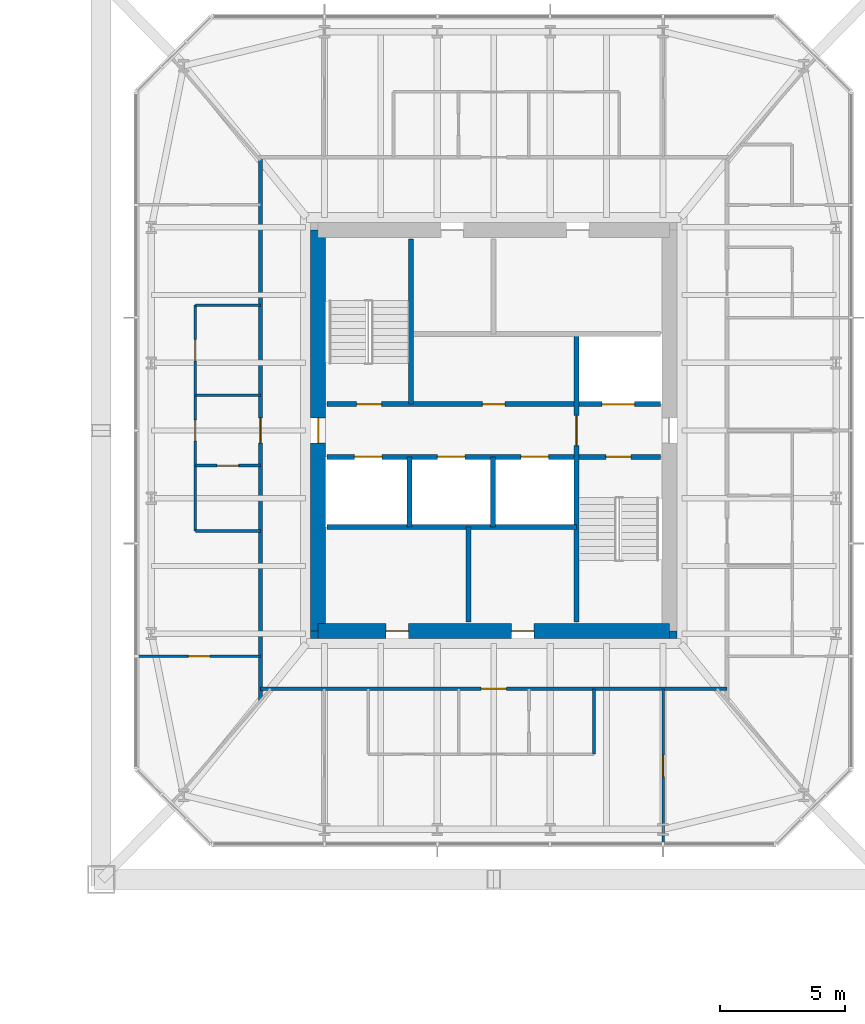
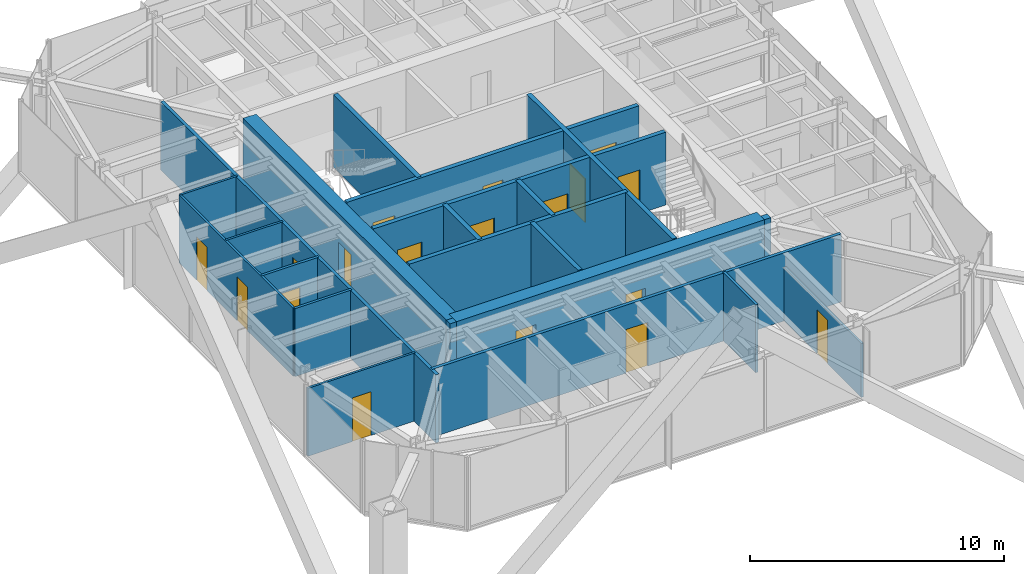
# One storey, part 17 of 25: 22 walls, 18 doors, 18 openings.
"""IFC4 building model written with IfcOpenShell, lengths in metres."""

import ifcopenshell
import ifcopenshell.guid

model = None  # the IFC model being written
_history = None  # IfcOwnerHistory: only IFC2X3 demands one
_inside = {}  # id of a spatial element -> (the spatial element, [elements in it])
_under = {}  # id of a project, library or spatial element -> (it, [spatial elements below it])
_declared = {}  # id of a project -> (the project, [libraries it declares])
_typed = {}  # id of a type object -> (the type object, [elements of that type])
_made_of = {}  # id of a material, layer set ... -> (it, [elements and type objects made of it])


def new_model(schema):
    """Start an empty IFC model of exactly this schema.

    Asked for "IFC4X3", IfcOpenShell would pick the latest addendum, in which some entities
    have other attributes; the version numbers below select the first issue.
    IFC2X3 requires an IfcOwnerHistory on every rooted entity: one is made here for all.
    """
    global model, _history
    if schema == "IFC4X3":
        model = ifcopenshell.file(schema_version=(4, 3, 0, 0))
    else:
        model = ifcopenshell.file(schema=schema)
    _inside.clear()
    _under.clear()
    _declared.clear()
    _typed.clear()
    _made_of.clear()
    _history = None
    if model.schema == "IFC2X3":
        org = make("IfcOrganization", Name="unknown")
        user = make(
            "IfcPersonAndOrganization",
            ThePerson=make("IfcPerson", FamilyName="unknown"),
            TheOrganization=org,
        )
        app = make(
            "IfcApplication",
            ApplicationDeveloper=org,
            Version="unknown",
            ApplicationFullName="unknown",
            ApplicationIdentifier="unknown",
        )
        _history = make(
            "IfcOwnerHistory",
            OwningUser=user,
            OwningApplication=app,
            ChangeAction="ADDED",
            CreationDate=0,
        )
    return model


def make(cls, **values):
    """One entity of the class cls with the attributes given. An attribute that is None is left unset."""
    return model.create_entity(
        cls, **{name: value for name, value in values.items() if value is not None}
    )


def rooted(cls, **values):
    """An entity with a GlobalId (a new one), such as an element, a storey or a relation."""
    return make(cls, GlobalId=ifcopenshell.guid.new(), OwnerHistory=_history, **values)


def si_unit(unit_type, name, prefix=None):
    """IfcSIUnit, for example si_unit("LENGTHUNIT", "METRE", prefix="MILLI")."""
    return make("IfcSIUnit", UnitType=unit_type, Prefix=prefix, Name=name)


def assignment(units):
    """IfcUnitAssignment: the units of a project."""
    return None if units is None else make("IfcUnitAssignment", Units=units)


def point(xyz):
    """IfcCartesianPoint."""
    return None if xyz is None else make("IfcCartesianPoint", Coordinates=xyz)


def direction(xyz):
    """IfcDirection."""
    return None if xyz is None else make("IfcDirection", DirectionRatios=xyz)


def frame(location, z_axis=None, x_axis=None):
    """IfcAxis2Placement3D, a coordinate frame: its origin and axes. An axis left out is left unset."""
    return make(
        "IfcAxis2Placement3D",
        Location=point(location),
        Axis=direction(z_axis),
        RefDirection=direction(x_axis),
    )


def frame_2d(location, x_axis=None):
    """IfcAxis2Placement2D, a coordinate frame in the plane: its origin and x axis."""
    return make(
        "IfcAxis2Placement2D", Location=point(location), RefDirection=direction(x_axis)
    )


def origin():
    """The frame at (0, 0, 0) with its axes left unset."""
    return frame((0.0, 0.0, 0.0))


def place(relative_to, where):
    """IfcLocalPlacement: puts the frame where relative to a parent placement (None: the world)."""
    return make(
        "IfcLocalPlacement", PlacementRelTo=relative_to, RelativePlacement=where
    )


def context(
    kind, dimensions, precision=None, world=None, true_north=None, identifier=None
):
    """IfcGeometricRepresentationContext, for example the 3D "Model" context."""
    return make(
        "IfcGeometricRepresentationContext",
        ContextIdentifier=identifier,
        ContextType=kind,
        CoordinateSpaceDimension=dimensions,
        Precision=precision,
        WorldCoordinateSystem=world,
        TrueNorth=true_north,
    )


def subcontext(parent, identifier, kind, view, scale=None):
    """IfcGeometricRepresentationSubContext, for example "Body" below "Model"."""
    return make(
        "IfcGeometricRepresentationSubContext",
        ContextIdentifier=identifier,
        ContextType=kind,
        ParentContext=parent,
        TargetScale=scale,
        TargetView=view,
    )


def project(units=None, contexts=None):
    """IfcProject with its units and contexts."""
    return rooted(
        "IfcProject",
        Name="project",
        RepresentationContexts=contexts,
        UnitsInContext=assignment(units),
    )


def spatial(cls, under=None, at=None, **own):
    """A site, building, storey or space (cls), placed at a placement, below another one or the project."""
    s = rooted(cls, ObjectPlacement=at, **own)
    if under is not None:
        _under.setdefault(under.id(), (under, []))[1].append(s)
    return s


def profile(cls, at=None, kind="AREA", **sizes):
    """A parametric profile (cls). Its sizes go by their IFC names, for example OverallWidth=200.0."""
    return make(cls, ProfileType=kind, Position=at, **sizes)


def rectangle(**sizes):
    """IfcRectangleProfileDef."""
    return profile("IfcRectangleProfileDef", **sizes)


def extrude(swept, where, along, depth):
    """IfcExtrudedAreaSolid: the profile swept, set in the frame where, extruded along a direction by depth."""
    return make(
        "IfcExtrudedAreaSolid",
        SweptArea=swept,
        Position=where,
        ExtrudedDirection=direction(along),
        Depth=depth,
    )


def shape(context_of_items, identifier, shape_type, items):
    """IfcShapeRepresentation: the items that make up one representation, for example the "Body"."""
    return make(
        "IfcShapeRepresentation",
        ContextOfItems=context_of_items,
        RepresentationIdentifier=identifier,
        RepresentationType=shape_type,
        Items=items,
    )


def material(Name=None, Category=None):
    """IfcMaterial."""
    return make("IfcMaterial", Name=Name, Category=Category)


def layer(
    of_material, thickness, ventilated=None, Name=None, Category=None, Priority=None
):
    """IfcMaterialLayer: one layer of a wall or slab, of a material (None: an air gap)."""
    return make(
        "IfcMaterialLayer",
        Material=of_material,
        LayerThickness=thickness,
        IsVentilated=ventilated,
        Name=Name,
        Category=Category,
        Priority=Priority,
    )


def layer_set(layers, Name=None):
    """IfcMaterialLayerSet."""
    return make("IfcMaterialLayerSet", MaterialLayers=layers, LayerSetName=Name)


def made_of(thing, what):
    """Note that an element or type object is made of a material, layer set ...; save() writes the relation."""
    if what is not None:
        _made_of.setdefault(what.id(), (what, []))[1].append(thing)
    return thing


def type_object(cls, material=None, **own):
    """A type object (cls), such as IfcWallType, which elements share."""
    return made_of(rooted(cls, **own), material)


def element(
    cls,
    number,
    at=None,
    inside=None,
    cuts=None,
    type_object=None,
    material=None,
    context=None,
    identifier="Body",
    shape_type=None,
    held_by="IfcProductDefinitionShape",
    body=None,
    shapes=None,
    **own,
):
    """One element of the class cls, such as IfcWall. Its Tag is "e" and its number.

    at: its placement. inside: the storey or other place that contains it. cuts: it is an
    opening in that element (IfcRelVoidsElement). A single representation is given by context,
    identifier, shape_type and body (its items); several are given by shapes. held_by: the class
    of the entity that holds the representations. save() writes the other relations.
    """
    e = rooted(cls, Tag="e%d" % number, ObjectPlacement=at, **own)
    if body is not None:
        shapes = [shape(context, identifier, shape_type, body)]
    if shapes is not None:
        e.Representation = make(held_by, Representations=shapes)
    if inside is not None:
        _inside.setdefault(inside.id(), (inside, []))[1].append(e)
    if cuts is not None:
        rooted(
            "IfcRelVoidsElement", RelatingBuildingElement=cuts, RelatedOpeningElement=e
        )
    if type_object is not None:
        _typed.setdefault(type_object.id(), (type_object, []))[1].append(e)
    return made_of(e, material)


def fill(opening, filler):
    """IfcRelFillsElement: the door or window that sits in an opening."""
    return rooted(
        "IfcRelFillsElement",
        RelatingOpeningElement=opening,
        RelatedBuildingElement=filler,
    )


def aggregate(whole, parts):
    """IfcRelAggregates: a whole, such as a stair, and the parts it consists of."""
    return rooted("IfcRelAggregates", RelatingObject=whole, RelatedObjects=parts)


def save(model, path):
    """Write the relations noted so far, then the file.

    IfcRelAggregates (storeys below a building ...), IfcRelContainedInSpatialStructure (elements
    in a storey), IfcRelDefinesByType, IfcRelAssociatesMaterial and IfcRelDeclares: one each for
    every whole, place, type object, material and project.
    """
    for whole, parts in _under.values():
        aggregate(whole, parts)
    for where, things in _inside.values():
        rooted(
            "IfcRelContainedInSpatialStructure",
            RelatedElements=things,
            RelatingStructure=where,
        )
    for kind, things in _typed.values():
        rooted("IfcRelDefinesByType", RelatedObjects=things, RelatingType=kind)
    for what, things in _made_of.values():
        rooted("IfcRelAssociatesMaterial", RelatedObjects=things, RelatingMaterial=what)
    for by, libraries in _declared.values():
        rooted("IfcRelDeclares", RelatingContext=by, RelatedDefinitions=libraries)
    model.write(path)


model = new_model("IFC4")

# Units and contexts
model_context = context("Model", 3, precision=1e-05, world=origin(), true_north=direction((0.0, 1.0)))
body_context = subcontext(model_context, "Body", "Model", "MODEL_VIEW")
ifc_project = project(units=[si_unit("LENGTHUNIT", "METRE"), si_unit("AREAUNIT", "SQUARE_METRE"), si_unit("VOLUMEUNIT", "CUBIC_METRE"), si_unit("PLANEANGLEUNIT", "RADIAN"), si_unit("MASSUNIT", "GRAM", prefix="KILO")], contexts=[model_context])

# Site, building, storey
site_placement = place(None, origin())
site = spatial("IfcSite", under=ifc_project, at=site_placement, CompositionType="ELEMENT")
building_placement = place(site_placement, origin())
building = spatial("IfcBuilding", under=site, at=building_placement, Name="Iwan Alto Co-Living Towers", CompositionType="ELEMENT")
storey_placement = place(building_placement, frame((0.0, 0.0, 108.5)))
storey = spatial("IfcBuildingStorey", under=building, at=storey_placement, Name="L29", CompositionType="ELEMENT", Elevation=108.5)

# Wall, opening, door
ifc_material_1 = material(Name="Gypsum board")
ifc_layer_1 = layer(ifc_material_1, 0.02490234375, Name="Board", Category="Finish")
ifc_material_2 = material(Name="Steel ASTM A1003 ST33H cold-formed studs", Category="steel")
ifc_layer_2 = layer(ifc_material_2, 0.10009765625, Name="Studs", Category="Framing")
ifc_layer_3 = layer(ifc_material_1, 0.02490234375, Name="Board", Category="Finish")
ifc_layer_set_1 = layer_set([ifc_layer_1, ifc_layer_2, ifc_layer_3], Name="CORRIDOR WALL 150")
wall_type_1 = type_object("IfcWallType", Name="CORRIDOR WALL 150", PredefinedType="PARTITIONING", material=ifc_layer_set_1)
wall_1_placement = place(storey_placement, frame((53.699951171875, -10.300048828125, 0.0), z_axis=(0.0, 0.0, 1.0), x_axis=(1.0, 0.0, 0.0)))
wall_1 = element("IfcWall", 1, at=wall_1_placement, inside=storey, type_object=wall_type_1, Name="Partition L29", PredefinedType="PARTITIONING", context=body_context, shape_type="SweptSolid", body=[
    extrude(rectangle(XDim=18.60009765625, YDim=0.14990234375, at=frame_2d((9.300048828125, 0.0))), origin(), (0.0, 0.0, 1.0), 3.27001953125),
])
opening_1_placement = place(wall_1_placement, frame((8.800048828125, 0.0, 0.0)))
opening_1 = element("IfcOpeningElement", 2, at=opening_1_placement, cuts=wall_1, Name="Opening D3", PredefinedType="OPENING", context=body_context, shape_type="SweptSolid", body=[
    extrude(rectangle(XDim=1.0, YDim=2.10009765625, at=frame_2d((0.5, 1.050048828125))), frame((0.0, 0.0849609375, 0.0), z_axis=(0.0, -1.0, 0.0), x_axis=(1.0, 0.0, 0.0)), (0.0, 0.0, 1.0), 0.169921875),
])
ifc_material_3 = material(Name="Steel frame with timber leaf", Category="steel")
door_type_1 = type_object("IfcDoorType", Name="FLAT ENTRANCE DOOR FD30S 1000X2100", OperationType="SINGLE_SWING_LEFT", PredefinedType="DOOR", material=ifc_material_3)
door_1_placement = place(opening_1_placement, frame((1.0, 0.0, 0.0), z_axis=(0.0, 0.0, 1.0), x_axis=(-1.0, 0.0, 0.0)))
door_1 = element("IfcDoor", 3, at=door_1_placement, inside=storey, type_object=door_type_1, Name="Apartment foyer door L29", OperationType="SINGLE_SWING_RIGHT", OverallHeight=2.10009765625, OverallWidth=1.0, PredefinedType="DOOR", context=body_context, shape_type="SweptSolid", body=[
    extrude(rectangle(XDim=1.0, YDim=2.10009765625, at=frame_2d((0.5, 1.050048828125))), frame((0.0, 0.02490234375, 0.0), z_axis=(0.0, -1.0, 0.0), x_axis=(1.0, 0.0, 0.0)), (0.0, 0.0, 1.0), 0.050048828125),
])
fill(opening_1, door_1)

wall_2_placement = place(storey_placement, frame((53.699951171875, -10.76806640625, 0.0), z_axis=(0.0, 0.0, 1.0), x_axis=(0.0, 1.0, 0.0)))
wall_2 = element("IfcWall", 4, at=wall_2_placement, inside=storey, type_object=wall_type_1, Name="Partition L29", PredefinedType="PARTITIONING", context=body_context, shape_type="SweptSolid", body=[
    extrude(rectangle(XDim=21.66796875, YDim=0.14990234375, at=frame_2d((10.833984375, 0.0))), origin(), (0.0, 0.0, 1.0), 3.27001953125),
])
opening_2_placement = place(wall_2_placement, frame((10.26806640625, 0.0, 0.0)))
opening_2 = element("IfcOpeningElement", 5, at=opening_2_placement, cuts=wall_2, Name="Opening D3", PredefinedType="OPENING", context=body_context, shape_type="SweptSolid", body=[
    extrude(rectangle(XDim=1.0, YDim=2.10009765625, at=frame_2d((0.5, 1.050048828125))), frame((0.0, 0.0849609375, 0.0), z_axis=(0.0, -1.0, 0.0), x_axis=(1.0, 0.0, 0.0)), (0.0, 0.0, 1.0), 0.169921875),
])
door_2_placement = place(opening_2_placement, origin())
door_2 = element("IfcDoor", 6, at=door_2_placement, inside=storey, type_object=door_type_1, Name="Apartment foyer door L29", OperationType="SINGLE_SWING_LEFT", OverallHeight=2.10009765625, OverallWidth=1.0, PredefinedType="DOOR", context=body_context, shape_type="SweptSolid", body=[
    extrude(rectangle(XDim=1.0, YDim=2.10009765625, at=frame_2d((0.5, 1.050048828125))), frame((0.0, 0.02490234375, 0.0), z_axis=(0.0, -1.0, 0.0), x_axis=(1.0, 0.0, 0.0)), (0.0, 0.0, 1.0), 0.050048828125),
])
fill(opening_2, door_2)

ifc_layer_4 = layer(ifc_material_1, 0.012451171875, Name="Board", Category="Finish")
ifc_layer_5 = layer(ifc_material_2, 0.074951171875, Name="Studs", Category="Framing")
ifc_layer_6 = layer(ifc_material_1, 0.012451171875, Name="Board", Category="Finish")
ifc_layer_set_2 = layer_set([ifc_layer_4, ifc_layer_5, ifc_layer_6], Name="PARTITION 100")
wall_type_2 = type_object("IfcWallType", Name="PARTITION 100", PredefinedType="PARTITIONING", material=ifc_layer_set_2)
wall_3_placement = place(storey_placement, frame((48.81005859375, -9.0, 0.0), z_axis=(0.0, 0.0, 1.0), x_axis=(1.0, 0.0, 0.0)))
wall_3 = element("IfcWall", 7, at=wall_3_placement, inside=storey, type_object=wall_type_2, Name="Partition L29", PredefinedType="PARTITIONING", context=body_context, shape_type="SweptSolid", body=[
    extrude(rectangle(XDim=4.889892578125, YDim=0.10009765625, at=frame_2d((2.44482421875, 0.0))), origin(), (0.0, 0.0, 1.0), 3.27001953125),
])
opening_3_placement = place(wall_3_placement, frame((2.02001953125, 0.0, 0.0)))
opening_3 = element("IfcOpeningElement", 8, at=opening_3_placement, cuts=wall_3, Name="Opening D2", PredefinedType="OPENING", context=body_context, shape_type="SweptSolid", body=[
    extrude(rectangle(XDim=0.85009765625, YDim=2.10009765625, at=frame_2d((0.425048828125, 1.050048828125))), frame((0.0, 0.06005859375, 0.0), z_axis=(0.0, -1.0, 0.0), x_axis=(1.0, 0.0, 0.0)), (0.0, 0.0, 1.0), 0.1201171875),
])
ifc_material_4 = material(Name="Timber leaf in steel frame", Category="steel")
door_type_2 = type_object("IfcDoorType", Name="ROOM DOOR 850X2100", OperationType="SINGLE_SWING_LEFT", PredefinedType="DOOR", material=ifc_material_4)
door_3_placement = place(opening_3_placement, origin())
door_3 = element("IfcDoor", 9, at=door_3_placement, inside=storey, type_object=door_type_2, Name="Bedroom door L29", OperationType="SINGLE_SWING_RIGHT", OverallHeight=2.10009765625, OverallWidth=0.85009765625, PredefinedType="DOOR", context=body_context, shape_type="SweptSolid", body=[
    extrude(rectangle(XDim=0.85009765625, YDim=2.10009765625, at=frame_2d((0.425048828125, 1.050048828125))), frame((0.0, 0.02490234375, 0.0), z_axis=(0.0, -1.0, 0.0), x_axis=(1.0, 0.0, 0.0)), (0.0, 0.0, 1.0), 0.050048828125),
])
fill(opening_3, door_3)

# Walls
for number, where, z_axis, x_axis, name in (
    (10, (51.10009765625, 1.39990234375, 0.0), (0.0, 0.0, 1.0), (1.0, 0.0, 0.0), "Partition L29"),
    (11, (51.10009765625, 5.0, 0.0), (0.0, 0.0, 1.0), (1.0, 0.0, 0.0), "Partition L29"),
):
    element("IfcWall", number, at=place(storey_placement, frame(where, z_axis=z_axis, x_axis=x_axis)), inside=storey, type_object=wall_type_2, Name=name, PredefinedType="PARTITIONING", context=body_context, shape_type="SweptSolid", body=[
        extrude(rectangle(XDim=2.599853515625, YDim=0.10009765625, at=frame_2d((1.2998046875, 0.0))), origin(), (0.0, 0.0, 1.0), 3.27001953125),
    ])

# Wall, opening, door
wall_4_placement = place(storey_placement, frame((69.75, -16.43994140625, 0.0), z_axis=(0.0, 0.0, 1.0), x_axis=(0.0, 1.0, 0.0)))
wall_4 = element("IfcWall", 12, at=wall_4_placement, inside=storey, type_object=wall_type_2, Name="Partition L29", PredefinedType="PARTITIONING", context=body_context, shape_type="SweptSolid", body=[
    extrude(rectangle(XDim=6.139892578125, YDim=0.10009765625, at=frame_2d((3.06982421875, 0.0))), origin(), (0.0, 0.0, 1.0), 2.586669921875),
])
opening_4_placement = place(wall_4_placement, frame((2.64501953125, 0.0, 0.0)))
opening_4 = element("IfcOpeningElement", 13, at=opening_4_placement, cuts=wall_4, Name="Opening D2", PredefinedType="OPENING", context=body_context, shape_type="SweptSolid", body=[
    extrude(rectangle(XDim=0.85009765625, YDim=2.10009765625, at=frame_2d((0.425048828125, 1.050048828125))), frame((0.0, 0.06005859375, 0.0), z_axis=(0.0, -1.0, 0.0), x_axis=(1.0, 0.0, 0.0)), (0.0, 0.0, 1.0), 0.1201171875),
])
door_4_placement = place(opening_4_placement, origin())
door_4 = element("IfcDoor", 14, at=door_4_placement, inside=storey, type_object=door_type_2, Name="Bedroom door L29", OperationType="SINGLE_SWING_RIGHT", OverallHeight=2.10009765625, OverallWidth=0.85009765625, PredefinedType="DOOR", context=body_context, shape_type="SweptSolid", body=[
    extrude(rectangle(XDim=0.85009765625, YDim=2.10009765625, at=frame_2d((0.425048828125, 1.050048828125))), frame((0.0, 0.02490234375, 0.0), z_axis=(0.0, -1.0, 0.0), x_axis=(1.0, 0.0, 0.0)), (0.0, 0.0, 1.0), 0.050048828125),
])
fill(opening_4, door_4)

# Wall, openings, doors
wall_5_placement = place(storey_placement, frame((51.10009765625, -4.0, 0.0), z_axis=(0.0, 0.0, 1.0), x_axis=(0.0, 1.0, 0.0)))
wall_5 = element("IfcWall", 15, at=wall_5_placement, inside=storey, type_object=wall_type_2, Name="Partition L29", PredefinedType="PARTITIONING", context=body_context, shape_type="SweptSolid", body=[
    extrude(rectangle(XDim=9.0, YDim=0.10009765625, at=frame_2d((4.5, 0.0))), origin(), (0.0, 0.0, 1.0), 3.27001953125),
])
opening_5_placement = place(wall_5_placement, frame((6.77490234375, 0.0, 0.0)))
opening_5 = element("IfcOpeningElement", 16, at=opening_5_placement, cuts=wall_5, Name="Opening D2", PredefinedType="OPENING", context=body_context, shape_type="SweptSolid", body=[
    extrude(rectangle(XDim=0.85009765625, YDim=2.10009765625, at=frame_2d((0.425048828125, 1.050048828125))), frame((0.0, 0.06005859375, 0.0), z_axis=(0.0, -1.0, 0.0), x_axis=(1.0, 0.0, 0.0)), (0.0, 0.0, 1.0), 0.1201171875),
])
opening_6_placement = place(wall_5_placement, frame((3.574951171875, 0.0, 0.0)))
opening_6 = element("IfcOpeningElement", 17, at=opening_6_placement, cuts=wall_5, Name="Opening D2", PredefinedType="OPENING", context=body_context, shape_type="SweptSolid", body=[
    extrude(rectangle(XDim=0.85009765625, YDim=2.10009765625, at=frame_2d((0.425048828125, 1.050048828125))), frame((0.0, 0.06005859375, 0.0), z_axis=(0.0, -1.0, 0.0), x_axis=(1.0, 0.0, 0.0)), (0.0, 0.0, 1.0), 0.1201171875),
])
door_5_placement = place(opening_5_placement, origin())
door_5 = element("IfcDoor", 18, at=door_5_placement, inside=storey, type_object=door_type_2, Name="Kitchen door L29", OperationType="SINGLE_SWING_RIGHT", OverallHeight=2.10009765625, OverallWidth=0.85009765625, PredefinedType="DOOR", context=body_context, shape_type="SweptSolid", body=[
    extrude(rectangle(XDim=0.85009765625, YDim=2.10009765625, at=frame_2d((0.425048828125, 1.050048828125))), frame((0.0, 0.02490234375, 0.0), z_axis=(0.0, -1.0, 0.0), x_axis=(1.0, 0.0, 0.0)), (0.0, 0.0, 1.0), 0.050048828125),
])
fill(opening_5, door_5)
door_6_placement = place(opening_6_placement, origin())
door_6 = element("IfcDoor", 19, at=door_6_placement, inside=storey, type_object=door_type_2, Name="Apartment foyer door L29", OperationType="SINGLE_SWING_LEFT", OverallHeight=2.10009765625, OverallWidth=0.85009765625, PredefinedType="DOOR", context=body_context, shape_type="SweptSolid", body=[
    extrude(rectangle(XDim=0.85009765625, YDim=2.10009765625, at=frame_2d((0.425048828125, 1.050048828125))), frame((0.0, 0.02490234375, 0.0), z_axis=(0.0, -1.0, 0.0), x_axis=(1.0, 0.0, 0.0)), (0.0, 0.0, 1.0), 0.050048828125),
])
fill(opening_6, door_6)

# Wall
ifc_material_5 = material(Name="Concrete f'c 70 MPa", Category="concrete")
ifc_layer_7 = layer(ifc_material_5, 0.199951171875)
ifc_layer_set_3 = layer_set([ifc_layer_7], Name="SHAFT WALL 200")
wall_type_3 = type_object("IfcWallType", Name="SHAFT WALL 200", PredefinedType="SOLIDWALL", material=ifc_layer_set_3)
wall_6_placement = place(storey_placement, frame((56.360107421875, -3.85009765625, 0.0), z_axis=(0.0, 0.0, 1.0), x_axis=(1.0, 0.0, 0.0)))
element("IfcWall", 20, at=wall_6_placement, inside=storey, type_object=wall_type_3, Name="Shaft wall L29", PredefinedType="SOLIDWALL", context=body_context, shape_type="SweptSolid", body=[
    extrude(rectangle(XDim=9.93994140625, YDim=0.199951171875, at=frame_2d((4.969970703125, 0.0))), origin(), (0.0, 0.0, 1.0), 3.5),
])

# Wall, openings, doors
wall_7_placement = place(storey_placement, frame((56.360107421875, -1.050048828125, 0.0), z_axis=(0.0, 0.0, 1.0), x_axis=(1.0, 0.0, 0.0)))
wall_7 = element("IfcWall", 21, at=wall_7_placement, inside=storey, type_object=wall_type_3, Name="Shaft wall L29", PredefinedType="SOLIDWALL", context=body_context, shape_type="SweptSolid", body=[
    extrude(rectangle(XDim=13.27978515625, YDim=0.199951171875, at=frame_2d((6.639892578125, 0.0))), origin(), (0.0, 0.0, 1.0), 3.5),
])
opening_7_placement = place(wall_7_placement, frame((11.110107421875, 0.0, 0.0)))
opening_7 = element("IfcOpeningElement", 22, at=opening_7_placement, cuts=wall_7, Name="Opening D5", PredefinedType="OPENING", context=body_context, shape_type="SweptSolid", body=[
    extrude(rectangle(XDim=1.0, YDim=2.10009765625, at=frame_2d((0.5, 1.050048828125))), frame((0.0, 0.10986328125, 0.0), z_axis=(0.0, -1.0, 0.0), x_axis=(1.0, 0.0, 0.0)), (0.0, 0.0, 1.0), 0.219970703125),
])
opening_8_placement = place(wall_7_placement, frame((1.0869140625, 0.0, 0.0)))
opening_8 = element("IfcOpeningElement", 23, at=opening_8_placement, cuts=wall_7, Name="Opening LD", PredefinedType="OPENING", context=body_context, shape_type="SweptSolid", body=[
    extrude(rectangle(XDim=1.10009765625, YDim=2.10009765625, at=frame_2d((0.550048828125, 1.050048828125))), frame((0.0, 0.10986328125, 0.0), z_axis=(0.0, -1.0, 0.0), x_axis=(1.0, 0.0, 0.0)), (0.0, 0.0, 1.0), 0.219970703125),
])
opening_9_placement = place(wall_7_placement, frame((4.389892578125, 0.0, 0.0)))
opening_9 = element("IfcOpeningElement", 24, at=opening_9_placement, cuts=wall_7, Name="Opening LD", PredefinedType="OPENING", context=body_context, shape_type="SweptSolid", body=[
    extrude(rectangle(XDim=1.10009765625, YDim=2.10009765625, at=frame_2d((0.550048828125, 1.050048828125))), frame((0.0, 0.10986328125, 0.0), z_axis=(0.0, -1.0, 0.0), x_axis=(1.0, 0.0, 0.0)), (0.0, 0.0, 1.0), 0.219970703125),
])
opening_10_placement = place(wall_7_placement, frame((7.72412109375, 0.0, 0.0)))
opening_10 = element("IfcOpeningElement", 25, at=opening_10_placement, cuts=wall_7, Name="Opening LD", PredefinedType="OPENING", context=body_context, shape_type="SweptSolid", body=[
    extrude(rectangle(XDim=1.10009765625, YDim=2.10009765625, at=frame_2d((0.550048828125, 1.050048828125))), frame((0.0, 0.10986328125, 0.0), z_axis=(0.0, -1.0, 0.0), x_axis=(1.0, 0.0, 0.0)), (0.0, 0.0, 1.0), 0.219970703125),
])
ifc_material_6 = material(Name="Steel frame with timber leaf", Category="steel")
door_type_3 = type_object("IfcDoorType", Name="LIFT LANDING DOOR 1100X2100", OperationType="DOUBLE_DOOR_SLIDING", PredefinedType="DOOR", material=ifc_material_6)
door_7_placement = place(opening_8_placement, origin())
door_7 = element("IfcDoor", 26, at=door_7_placement, inside=storey, type_object=door_type_3, Name="Lift P5-1 landing door L29", OperationType="DOUBLE_DOOR_SLIDING", OverallHeight=2.10009765625, OverallWidth=1.10009765625, PredefinedType="DOOR", context=body_context, shape_type="SweptSolid", body=[
    extrude(rectangle(XDim=1.10009765625, YDim=2.10009765625, at=frame_2d((0.550048828125, 1.050048828125))), frame((0.0, 0.02490234375, 0.0), z_axis=(0.0, -1.0, 0.0), x_axis=(1.0, 0.0, 0.0)), (0.0, 0.0, 1.0), 0.050048828125),
])
fill(opening_8, door_7)
door_8_placement = place(opening_9_placement, origin())
door_8 = element("IfcDoor", 27, at=door_8_placement, inside=storey, type_object=door_type_3, Name="Lift P5-2 landing door L29", OperationType="DOUBLE_DOOR_SLIDING", OverallHeight=2.10009765625, OverallWidth=1.10009765625, PredefinedType="DOOR", context=body_context, shape_type="SweptSolid", body=[
    extrude(rectangle(XDim=1.10009765625, YDim=2.10009765625, at=frame_2d((0.550048828125, 1.050048828125))), frame((0.0, 0.02490234375, 0.0), z_axis=(0.0, -1.0, 0.0), x_axis=(1.0, 0.0, 0.0)), (0.0, 0.0, 1.0), 0.050048828125),
])
fill(opening_9, door_8)
door_9_placement = place(opening_10_placement, origin())
door_9 = element("IfcDoor", 28, at=door_9_placement, inside=storey, type_object=door_type_3, Name="Lift P6-3 landing door L29", OperationType="DOUBLE_DOOR_SLIDING", OverallHeight=2.10009765625, OverallWidth=1.10009765625, PredefinedType="DOOR", context=body_context, shape_type="SweptSolid", body=[
    extrude(rectangle(XDim=1.10009765625, YDim=2.10009765625, at=frame_2d((0.550048828125, 1.050048828125))), frame((0.0, 0.02490234375, 0.0), z_axis=(0.0, -1.0, 0.0), x_axis=(1.0, 0.0, 0.0)), (0.0, 0.0, 1.0), 0.050048828125),
])
fill(opening_10, door_9)
ifc_material_7 = material(Name="Steel frame with timber leaf", Category="steel")
door_type_4 = type_object("IfcDoorType", Name="STAIR DOOR FD120S 1000X2100", OperationType="SINGLE_SWING_LEFT", PredefinedType="DOOR", material=ifc_material_7)
door_10_placement = place(opening_7_placement, frame((1.0, 0.0, 0.0), z_axis=(0.0, 0.0, 1.0), x_axis=(-1.0, 0.0, 0.0)))
door_10 = element("IfcDoor", 29, at=door_10_placement, inside=storey, type_object=door_type_4, Name="Stair S2 door L29", OperationType="SINGLE_SWING_RIGHT", OverallHeight=2.10009765625, OverallWidth=1.0, PredefinedType="DOOR", context=body_context, shape_type="SweptSolid", body=[
    extrude(rectangle(XDim=1.0, YDim=2.10009765625, at=frame_2d((0.5, 1.050048828125))), frame((0.0, 0.02490234375, 0.0), z_axis=(0.0, -1.0, 0.0), x_axis=(1.0, 0.0, 0.0)), (0.0, 0.0, 1.0), 0.050048828125),
])
fill(opening_7, door_10)

wall_8_placement = place(storey_placement, frame((56.360107421875, 1.050048828125, 0.0), z_axis=(0.0, 0.0, 1.0), x_axis=(1.0, 0.0, 0.0)))
wall_8 = element("IfcWall", 30, at=wall_8_placement, inside=storey, type_object=wall_type_3, Name="Shaft wall L29", PredefinedType="SOLIDWALL", context=body_context, shape_type="SweptSolid", body=[
    extrude(rectangle(XDim=13.27978515625, YDim=0.199951171875, at=frame_2d((6.639892578125, 0.0))), origin(), (0.0, 0.0, 1.0), 3.5),
])
opening_11_placement = place(wall_8_placement, frame((1.169921875, 0.0, 0.0)))
opening_11 = element("IfcOpeningElement", 31, at=opening_11_placement, cuts=wall_8, Name="Opening D5", PredefinedType="OPENING", context=body_context, shape_type="SweptSolid", body=[
    extrude(rectangle(XDim=1.0, YDim=2.10009765625, at=frame_2d((0.5, 1.050048828125))), frame((0.0, 0.10986328125, 0.0), z_axis=(0.0, -1.0, 0.0), x_axis=(1.0, 0.0, 0.0)), (0.0, 0.0, 1.0), 0.219970703125),
])
opening_12_placement = place(wall_8_placement, frame((6.18994140625, 0.0, 0.0)))
opening_12 = element("IfcOpeningElement", 32, at=opening_12_placement, cuts=wall_8, Name="Opening D8", PredefinedType="OPENING", context=body_context, shape_type="SweptSolid", body=[
    extrude(rectangle(XDim=0.89990234375, YDim=2.10009765625, at=frame_2d((0.449951171875, 1.050048828125))), frame((0.0, 0.10986328125, 0.0), z_axis=(0.0, -1.0, 0.0), x_axis=(1.0, 0.0, 0.0)), (0.0, 0.0, 1.0), 0.219970703125),
])
opening_13_placement = place(wall_8_placement, frame((10.9599609375, 0.0, 0.0)))
opening_13 = element("IfcOpeningElement", 33, at=opening_13_placement, cuts=wall_8, Name="Opening LD2", PredefinedType="OPENING", context=body_context, shape_type="SweptSolid", body=[
    extrude(rectangle(XDim=1.300048828125, YDim=2.10009765625, at=frame_2d((0.64990234375, 1.050048828125))), frame((0.0, 0.10986328125, 0.0), z_axis=(0.0, -1.0, 0.0), x_axis=(1.0, 0.0, 0.0)), (0.0, 0.0, 1.0), 0.219970703125),
])
ifc_material_8 = material(Name="Steel frame with timber leaf", Category="steel")
door_type_5 = type_object("IfcDoorType", Name="LIFT LANDING DOOR 1300X2100", OperationType="SLIDING_TO_LEFT", PredefinedType="DOOR", material=ifc_material_8)
door_11_placement = place(opening_13_placement, origin())
door_11 = element("IfcDoor", 34, at=door_11_placement, inside=storey, type_object=door_type_5, Name="Lift FL2 landing door L29", OperationType="SLIDING_TO_LEFT", OverallHeight=2.10009765625, OverallWidth=1.300048828125, PredefinedType="DOOR", context=body_context, shape_type="SweptSolid", body=[
    extrude(rectangle(XDim=1.300048828125, YDim=2.10009765625, at=frame_2d((0.64990234375, 1.050048828125))), frame((0.0, 0.02490234375, 0.0), z_axis=(0.0, -1.0, 0.0), x_axis=(1.0, 0.0, 0.0)), (0.0, 0.0, 1.0), 0.050048828125),
])
fill(opening_13, door_11)
ifc_material_9 = material(Name="Steel frame with timber leaf", Category="steel")
door_type_6 = type_object("IfcDoorType", Name="RISER DOOR FD120 900X2100", OperationType="SINGLE_SWING_LEFT", PredefinedType="DOOR", material=ifc_material_9)
door_12_placement = place(opening_12_placement, origin())
door_12 = element("IfcDoor", 35, at=door_12_placement, inside=storey, type_object=door_type_6, Name="Riser room door L29", OperationType="SINGLE_SWING_LEFT", OverallHeight=2.10009765625, OverallWidth=0.89990234375, PredefinedType="DOOR", context=body_context, shape_type="SweptSolid", body=[
    extrude(rectangle(XDim=0.89990234375, YDim=2.10009765625, at=frame_2d((0.449951171875, 1.050048828125))), frame((0.0, 0.02490234375, 0.0), z_axis=(0.0, -1.0, 0.0), x_axis=(1.0, 0.0, 0.0)), (0.0, 0.0, 1.0), 0.050048828125),
])
fill(opening_12, door_12)
door_13_placement = place(opening_11_placement, origin())
door_13 = element("IfcDoor", 36, at=door_13_placement, inside=storey, type_object=door_type_4, Name="Stair S1 door L29", OperationType="SINGLE_SWING_RIGHT", OverallHeight=2.10009765625, OverallWidth=1.0, PredefinedType="DOOR", context=body_context, shape_type="SweptSolid", body=[
    extrude(rectangle(XDim=1.0, YDim=2.10009765625, at=frame_2d((0.5, 1.050048828125))), frame((0.0, 0.02490234375, 0.0), z_axis=(0.0, -1.0, 0.0), x_axis=(1.0, 0.0, 0.0)), (0.0, 0.0, 1.0), 0.050048828125),
])
fill(opening_11, door_13)

# Wall, opening, door
wall_9_placement = place(storey_placement, frame((66.300048828125, -7.639892578125, 0.0), z_axis=(0.0, 0.0, 1.0), x_axis=(0.0, 1.0, 0.0)))
wall_9 = element("IfcWall", 37, at=wall_9_placement, inside=storey, type_object=wall_type_3, Name="Shaft wall L29", PredefinedType="SOLIDWALL", context=body_context, shape_type="SweptSolid", body=[
    extrude(rectangle(XDim=11.489990234375, YDim=0.199951171875, at=frame_2d((5.7451171875, 0.0))), origin(), (0.0, 0.0, 1.0), 3.5),
])
opening_14_placement = place(wall_9_placement, frame((7.0400390625, 0.0, 0.0)))
opening_14 = element("IfcOpeningElement", 38, at=opening_14_placement, cuts=wall_9, Name="Opening D6", PredefinedType="OPENING", context=body_context, shape_type="SweptSolid", body=[
    extrude(rectangle(XDim=1.199951171875, YDim=2.10009765625, at=frame_2d((0.60009765625, 1.050048828125))), frame((0.0, 0.10986328125, 0.0), z_axis=(0.0, -1.0, 0.0), x_axis=(1.0, 0.0, 0.0)), (0.0, 0.0, 1.0), 0.219970703125),
])
ifc_material_10 = material(Name="Steel frame with timber leaf", Category="steel")
door_type_7 = type_object("IfcDoorType", Name="LOBBY DOOR FD120S 1200X2100", OperationType="SINGLE_SWING_LEFT", PredefinedType="DOOR", material=ifc_material_10)
door_14_placement = place(opening_14_placement, frame((1.199951171875, 0.0, 0.0), z_axis=(0.0, 0.0, 1.0), x_axis=(-1.0, 0.0, 0.0)))
door_14 = element("IfcDoor", 39, at=door_14_placement, inside=storey, type_object=door_type_7, Name="Firefighting lobby door L29", OperationType="SINGLE_SWING_RIGHT", OverallHeight=2.10009765625, OverallWidth=1.199951171875, PredefinedType="DOOR", context=body_context, shape_type="SweptSolid", body=[
    extrude(rectangle(XDim=1.199951171875, YDim=2.10009765625, at=frame_2d((0.60009765625, 1.050048828125))), frame((0.0, 0.02490234375, 0.0), z_axis=(0.0, -1.0, 0.0), x_axis=(1.0, 0.0, 0.0)), (0.0, 0.0, 1.0), 0.050048828125),
])
fill(opening_14, door_14)

# Walls
wall_10_placement = place(storey_placement, frame((62.967041015625, -3.85009765625, 0.0), z_axis=(0.0, 0.0, 1.0), x_axis=(0.0, 1.0, 0.0)))
element("IfcWall", 40, at=wall_10_placement, inside=storey, type_object=wall_type_3, Name="Shaft wall L29", PredefinedType="SOLIDWALL", context=body_context, shape_type="SweptSolid", body=[
    extrude(rectangle(XDim=2.800048828125, YDim=0.199951171875, at=frame_2d((1.39990234375, 0.0))), origin(), (0.0, 0.0, 1.0), 3.5),
])
wall_11_placement = place(storey_placement, frame((62.0, -7.639892578125, 0.0), z_axis=(0.0, 0.0, 1.0), x_axis=(0.0, 1.0, 0.0)))
element("IfcWall", 41, at=wall_11_placement, inside=storey, type_object=wall_type_3, Name="Shaft wall L29", PredefinedType="SOLIDWALL", context=body_context, shape_type="SweptSolid", body=[
    extrude(rectangle(XDim=3.789794921875, YDim=0.199951171875, at=frame_2d((1.89501953125, 0.0))), origin(), (0.0, 0.0, 1.0), 3.5),
])
wall_12_placement = place(storey_placement, frame((59.699951171875, 1.050048828125, 0.0), z_axis=(0.0, 0.0, 1.0), x_axis=(0.0, 1.0, 0.0)))
element("IfcWall", 42, at=wall_12_placement, inside=storey, type_object=wall_type_3, Name="Shaft wall L29", PredefinedType="SOLIDWALL", context=body_context, shape_type="SweptSolid", body=[
    extrude(rectangle(XDim=6.58984375, YDim=0.199951171875, at=frame_2d((3.294921875, 0.0))), origin(), (0.0, 0.0, 1.0), 3.5),
])
wall_13_placement = place(storey_placement, frame((59.633056640625, -3.85009765625, 0.0), z_axis=(0.0, 0.0, 1.0), x_axis=(0.0, 1.0, 0.0)))
element("IfcWall", 43, at=wall_13_placement, inside=storey, type_object=wall_type_3, Name="Shaft wall L29", PredefinedType="SOLIDWALL", context=body_context, shape_type="SweptSolid", body=[
    extrude(rectangle(XDim=2.800048828125, YDim=0.199951171875, at=frame_2d((1.39990234375, 0.0))), origin(), (0.0, 0.0, 1.0), 3.5),
])
ifc_material_11 = material(Name="Concrete f'c 70 MPa", Category="concrete")
ifc_layer_8 = layer(ifc_material_11, 0.300048828125)
ifc_layer_set_4 = layer_set([ifc_layer_8], Name="T2 CORE CORNER FILL 300")
wall_type_4 = type_object("IfcWallType", Name="T2 CORE CORNER FILL 300", PredefinedType="SOLIDWALL", material=ifc_layer_set_4)
for number, where, z_axis, x_axis, name in (
    (44, (55.699951171875, -8.14990234375, 0.0), (0.0, 0.0, 1.0), (1.0, 0.0, 0.0), "T2 core corner SW L29"),
    (45, (70.0, -8.14990234375, 0.0), (0.0, 0.0, 1.0), (1.0, 0.0, 0.0), "T2 core corner SE L29"),
):
    element("IfcWall", number, at=place(storey_placement, frame(where, z_axis=z_axis, x_axis=x_axis)), inside=storey, type_object=wall_type_4, Name=name, PredefinedType="SOLIDWALL", context=body_context, shape_type="SweptSolid", body=[
        extrude(rectangle(XDim=0.300048828125, YDim=0.300048828125, at=frame_2d((0.14990234375, 0.0))), origin(), (0.0, 0.0, 1.0), 3.5),
    ])

# Wall, openings, doors
ifc_material_12 = material(Name="Concrete f'c 70 MPa", Category="concrete")
ifc_layer_9 = layer(ifc_material_12, 0.60009765625)
ifc_layer_set_5 = layer_set([ifc_layer_9], Name="T2 CORE WALL 600")
wall_type_5 = type_object("IfcWallType", Name="T2 CORE WALL 600", PredefinedType="SHEAR", material=ifc_layer_set_5)
wall_14_placement = place(storey_placement, frame((56.0, -8.0, 0.0), z_axis=(0.0, 0.0, 1.0), x_axis=(1.0, 0.0, 0.0)))
wall_14 = element("IfcWall", 46, at=wall_14_placement, inside=storey, type_object=wall_type_5, Name="T2 core wall S L29", PredefinedType="SHEAR", context=body_context, shape_type="SweptSolid", body=[
    extrude(rectangle(XDim=14.0, YDim=0.60009765625, at=frame_2d((7.0, 0.0))), origin(), (0.0, 0.0, 1.0), 3.5),
])
opening_15_placement = place(wall_14_placement, frame((2.699951171875, 0.0, 0.0)))
opening_15 = element("IfcOpeningElement", 47, at=opening_15_placement, cuts=wall_14, Name="Opening D8", PredefinedType="OPENING", context=body_context, shape_type="SweptSolid", body=[
    extrude(rectangle(XDim=0.89990234375, YDim=2.10009765625, at=frame_2d((0.449951171875, 1.050048828125))), frame((0.0, 0.31005859375, 0.0), z_axis=(0.0, -1.0, 0.0), x_axis=(1.0, 0.0, 0.0)), (0.0, 0.0, 1.0), 0.6201171875),
])
opening_16_placement = place(wall_14_placement, frame((7.699951171875, 0.0, 0.0)))
opening_16 = element("IfcOpeningElement", 48, at=opening_16_placement, cuts=wall_14, Name="Opening D8", PredefinedType="OPENING", context=body_context, shape_type="SweptSolid", body=[
    extrude(rectangle(XDim=0.89990234375, YDim=2.10009765625, at=frame_2d((0.449951171875, 1.050048828125))), frame((0.0, 0.31005859375, 0.0), z_axis=(0.0, -1.0, 0.0), x_axis=(1.0, 0.0, 0.0)), (0.0, 0.0, 1.0), 0.6201171875),
])
door_15_placement = place(opening_15_placement, origin())
door_15 = element("IfcDoor", 49, at=door_15_placement, inside=storey, type_object=door_type_6, Name="Refuse room core door L29", OperationType="SINGLE_SWING_LEFT", OverallHeight=2.10009765625, OverallWidth=0.89990234375, PredefinedType="DOOR", context=body_context, shape_type="SweptSolid", body=[
    extrude(rectangle(XDim=0.89990234375, YDim=2.10009765625, at=frame_2d((0.449951171875, 1.050048828125))), frame((0.0, 0.02490234375, 0.0), z_axis=(0.0, -1.0, 0.0), x_axis=(1.0, 0.0, 0.0)), (0.0, 0.0, 1.0), 0.050048828125),
])
fill(opening_15, door_15)
door_16_placement = place(opening_16_placement, origin())
door_16 = element("IfcDoor", 50, at=door_16_placement, inside=storey, type_object=door_type_6, Name="Telecom riser core door L29", OperationType="SINGLE_SWING_LEFT", OverallHeight=2.10009765625, OverallWidth=0.89990234375, PredefinedType="DOOR", context=body_context, shape_type="SweptSolid", body=[
    extrude(rectangle(XDim=0.89990234375, YDim=2.10009765625, at=frame_2d((0.449951171875, 1.050048828125))), frame((0.0, 0.02490234375, 0.0), z_axis=(0.0, -1.0, 0.0), x_axis=(1.0, 0.0, 0.0)), (0.0, 0.0, 1.0), 0.050048828125),
])
fill(opening_16, door_16)

# Wall, opening, door
wall_15_placement = place(storey_placement, frame((56.0, 8.0, 0.0), z_axis=(0.0, 0.0, 1.0), x_axis=(0.0, -1.0, 0.0)))
wall_15 = element("IfcWall", 51, at=wall_15_placement, inside=storey, type_object=wall_type_5, Name="T2 core wall W L29", PredefinedType="SHEAR", context=body_context, shape_type="SweptSolid", body=[
    extrude(rectangle(XDim=16.0, YDim=0.60009765625, at=frame_2d((8.0, 0.0))), origin(), (0.0, 0.0, 1.0), 3.5),
])
opening_17_placement = place(wall_15_placement, frame((7.5, 0.0, 0.0)))
opening_17 = element("IfcOpeningElement", 52, at=opening_17_placement, cuts=wall_15, Name="Opening D7", PredefinedType="OPENING", context=body_context, shape_type="SweptSolid", body=[
    extrude(rectangle(XDim=1.0, YDim=2.10009765625, at=frame_2d((0.5, 1.050048828125))), frame((0.0, 0.31005859375, 0.0), z_axis=(0.0, -1.0, 0.0), x_axis=(1.0, 0.0, 0.0)), (0.0, 0.0, 1.0), 0.6201171875),
])
ifc_material_13 = material(Name="Steel frame with timber leaf", Category="steel")
door_type_8 = type_object("IfcDoorType", Name="CORE DOOR FD120S 1000X2100", OperationType="SINGLE_SWING_LEFT", PredefinedType="DOOR", material=ifc_material_13)
door_17_placement = place(opening_17_placement, origin())
door_17 = element("IfcDoor", 53, at=door_17_placement, inside=storey, type_object=door_type_8, Name="Lift lobby core door L29", OperationType="SINGLE_SWING_RIGHT", OverallHeight=2.10009765625, OverallWidth=1.0, PredefinedType="DOOR", context=body_context, shape_type="SweptSolid", body=[
    extrude(rectangle(XDim=1.0, YDim=2.10009765625, at=frame_2d((0.5, 1.050048828125))), frame((0.0, 0.02490234375, 0.0), z_axis=(0.0, -1.0, 0.0), x_axis=(1.0, 0.0, 0.0)), (0.0, 0.0, 1.0), 0.050048828125),
])
fill(opening_17, door_17)

# Wall
ifc_material_14 = material(Name="Cement board")
ifc_layer_10 = layer(ifc_material_14, 0.012451171875, Name="Board", Category="Finish")
ifc_layer_11 = layer(ifc_material_2, 0.094970703125, Name="Studs", Category="Framing")
ifc_layer_12 = layer(ifc_material_14, 0.012451171875, Name="Board", Category="Finish")
ifc_layer_set_6 = layer_set([ifc_layer_10, ifc_layer_11, ifc_layer_12], Name="WET AREA PARTITION 120")
wall_type_6 = type_object("IfcWallType", Name="WET AREA PARTITION 120", PredefinedType="PARTITIONING", material=ifc_layer_set_6)
wall_16_placement = place(storey_placement, frame((51.10009765625, -4.0, 0.0), z_axis=(0.0, 0.0, 1.0), x_axis=(1.0, 0.0, 0.0)))
element("IfcWall", 54, at=wall_16_placement, inside=storey, type_object=wall_type_6, Name="Partition L29", PredefinedType="PARTITIONING", context=body_context, shape_type="SweptSolid", body=[
    extrude(rectangle(XDim=2.599853515625, YDim=0.1201171875, at=frame_2d((1.2998046875, 0.0))), origin(), (0.0, 0.0, 1.0), 3.27001953125),
])

# Wall, opening, door
wall_17_placement = place(storey_placement, frame((51.10009765625, -1.39990234375, 0.0), z_axis=(0.0, 0.0, 1.0), x_axis=(1.0, 0.0, 0.0)))
wall_17 = element("IfcWall", 55, at=wall_17_placement, inside=storey, type_object=wall_type_6, Name="Partition L29", PredefinedType="PARTITIONING", context=body_context, shape_type="SweptSolid", body=[
    extrude(rectangle(XDim=2.599853515625, YDim=0.1201171875, at=frame_2d((1.2998046875, 0.0))), origin(), (0.0, 0.0, 1.0), 3.27001953125),
])
opening_18_placement = place(wall_17_placement, frame((0.875, 0.0, 0.0)))
opening_18 = element("IfcOpeningElement", 56, at=opening_18_placement, cuts=wall_17, Name="Opening D2", PredefinedType="OPENING", context=body_context, shape_type="SweptSolid", body=[
    extrude(rectangle(XDim=0.85009765625, YDim=2.10009765625, at=frame_2d((0.425048828125, 1.050048828125))), frame((0.0, 0.070068359375, 0.0), z_axis=(0.0, -1.0, 0.0), x_axis=(1.0, 0.0, 0.0)), (0.0, 0.0, 1.0), 0.14013671875),
])
door_18_placement = place(opening_18_placement, frame((0.85009765625, 0.0, 0.0), z_axis=(0.0, 0.0, 1.0), x_axis=(-1.0, 0.0, 0.0)))
door_18 = element("IfcDoor", 57, at=door_18_placement, inside=storey, type_object=door_type_2, Name="Bathroom door L29", OperationType="SINGLE_SWING_RIGHT", OverallHeight=2.10009765625, OverallWidth=0.85009765625, PredefinedType="DOOR", context=body_context, shape_type="SweptSolid", body=[
    extrude(rectangle(XDim=0.85009765625, YDim=2.10009765625, at=frame_2d((0.425048828125, 1.050048828125))), frame((0.0, 0.02490234375, 0.0), z_axis=(0.0, -1.0, 0.0), x_axis=(1.0, 0.0, 0.0)), (0.0, 0.0, 1.0), 0.050048828125),
])
fill(opening_18, door_18)

# Wall
wall_18_placement = place(storey_placement, frame((67.0, -12.89990234375, 0.0), z_axis=(0.0, 0.0, 1.0), x_axis=(0.0, 1.0, 0.0)))
element("IfcWall", 58, at=wall_18_placement, inside=storey, type_object=wall_type_6, Name="Partition L29", PredefinedType="PARTITIONING", context=body_context, shape_type="SweptSolid", body=[
    extrude(rectangle(XDim=2.599853515625, YDim=0.1201171875, at=frame_2d((1.2998046875, 0.0))), origin(), (0.0, 0.0, 1.0), 3.27001953125),
])

save(model, "model.ifc")
